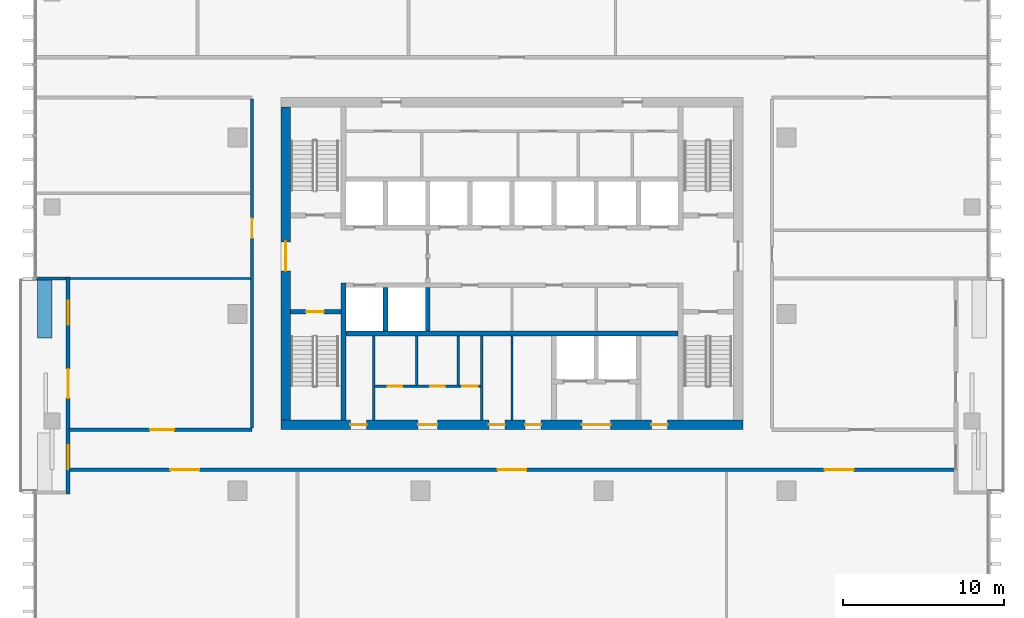
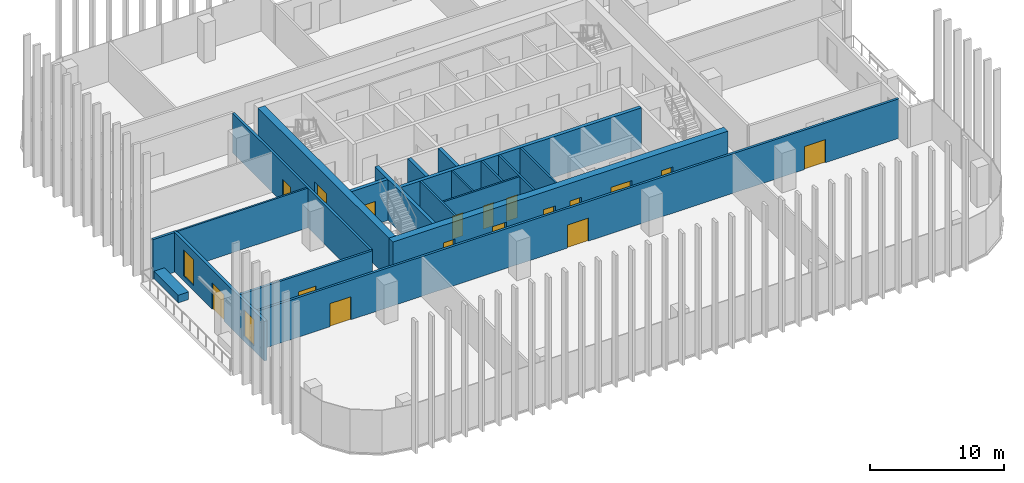
# One storey, part 7 of 16: 20 walls, 17 doors, 2 windows, 19 openings.
"""IFC4 building model written with IfcOpenShell, lengths in metres."""

from ifc_helpers import new_model, si_unit, direction, frame, frame_2d, origin, place, context, subcontext, project, spatial, rectangle, extrude, material, layer, layer_set, type_object, element, fill, save


model = new_model("IFC4")

# Units and contexts
model_context = context("Model", 3, precision=1e-05, world=origin(), true_north=direction((0.0, 1.0)))
body_context = subcontext(model_context, "Body", "Model", "MODEL_VIEW")
ifc_project = project(units=[si_unit("LENGTHUNIT", "METRE"), si_unit("AREAUNIT", "SQUARE_METRE"), si_unit("VOLUMEUNIT", "CUBIC_METRE"), si_unit("PLANEANGLEUNIT", "RADIAN"), si_unit("MASSUNIT", "GRAM", prefix="KILO")], contexts=[model_context])

# Site, building, storey
site_placement = place(None, origin())
site = spatial("IfcSite", under=ifc_project, at=site_placement, CompositionType="ELEMENT")
building_placement = place(site_placement, origin())
building = spatial("IfcBuilding", under=site, at=building_placement, Name="Mopane Tessera Tower", CompositionType="ELEMENT")
storey_placement = place(building_placement, frame((0.0, 0.0, 267.39990234375)))
storey = spatial("IfcBuildingStorey", under=building, at=storey_placement, Name="L57", CompositionType="ELEMENT", Elevation=267.39990234375)

# Wall
ifc_material_1 = material(Name="Fire-rated gypsum board partition")
ifc_layer_1 = layer(ifc_material_1, 0.14990234375)
ifc_layer_set_1 = layer_set([ifc_layer_1], Name="Fire-rated gypsum board partition")
wall_type_1 = type_object("IfcWallType", Name="Core room partition 150 mm", PredefinedType="PARTITIONING", material=ifc_layer_set_1)
wall_1_placement = place(storey_placement, frame((-8.625, -6.60009765625, 0.0), z_axis=(0.0, 0.0, 1.0), x_axis=(0.0, 1.0, 0.0)))
element("IfcWall", 1, at=wall_1_placement, inside=storey, type_object=wall_type_1, Name="L57 Room partition", PredefinedType="PARTITIONING", context=body_context, shape_type="SweptSolid", body=[
    extrude(rectangle(XDim=5.25, YDim=0.14990234375, at=frame_2d((2.625, 0.0))), origin(), (0.0, 0.0, 1.0), 3.7001953125),
])

# Wall, openings, doors
wall_2_placement = place(storey_placement, frame((-8.550048828125, -4.5, 0.0), z_axis=(0.0, 0.0, 1.0), x_axis=(1.0, 0.0, 0.0)))
wall_2 = element("IfcWall", 2, at=wall_2_placement, inside=storey, type_object=wall_type_1, Name="L57 WC partition", PredefinedType="PARTITIONING", context=body_context, shape_type="SweptSolid", body=[
    extrude(rectangle(XDim=6.60009765625, YDim=0.14990234375, at=frame_2d((3.300048828125, 0.0))), origin(), (0.0, 0.0, 1.0), 3.7001953125),
])
opening_1_placement = place(wall_2_placement, frame((0.824951171875, 0.0, 0.0)))
opening_1 = element("IfcOpeningElement", 3, at=opening_1_placement, cuts=wall_2, Name="Opening WD1", PredefinedType="OPENING", context=body_context, shape_type="SweptSolid", body=[
    extrude(rectangle(XDim=0.89990234375, YDim=2.10009765625, at=frame_2d((0.449951171875, 1.050048828125))), frame((0.0, 0.0869140625, 0.0), z_axis=(0.0, -1.0, 0.0), x_axis=(1.0, 0.0, 0.0)), (0.0, 0.0, 1.0), 0.173828125),
])
opening_2_placement = place(wall_2_placement, frame((3.45751953125, 0.0, 0.0)))
opening_2 = element("IfcOpeningElement", 4, at=opening_2_placement, cuts=wall_2, Name="Opening WD1", PredefinedType="OPENING", context=body_context, shape_type="SweptSolid", body=[
    extrude(rectangle(XDim=0.89990234375, YDim=2.10009765625, at=frame_2d((0.449951171875, 1.050048828125))), frame((0.0, 0.0869140625, 0.0), z_axis=(0.0, -1.0, 0.0), x_axis=(1.0, 0.0, 0.0)), (0.0, 0.0, 1.0), 0.173828125),
])
opening_3_placement = place(wall_2_placement, frame((5.45751953125, 0.0, 0.0)))
opening_3 = element("IfcOpeningElement", 5, at=opening_3_placement, cuts=wall_2, Name="Opening WD2", PredefinedType="OPENING", context=body_context, shape_type="SweptSolid", body=[
    extrude(rectangle(XDim=0.949951171875, YDim=2.10009765625, at=frame_2d((0.47509765625, 1.050048828125))), frame((0.0, 0.0869140625, 0.0), z_axis=(0.0, -1.0, 0.0), x_axis=(1.0, 0.0, 0.0)), (0.0, 0.0, 1.0), 0.173828125),
])
ifc_material_2 = material(Name="Timber door", Category="wood")
door_type_1 = type_object("IfcDoorType", Name="Accessible WC door 950 x 2100", OperationType="SINGLE_SWING_LEFT", PredefinedType="DOOR", material=ifc_material_2)
door_1_placement = place(opening_3_placement, origin())
door_1 = element("IfcDoor", 6, at=door_1_placement, inside=storey, type_object=door_type_1, Name="L57 Accessible WC door", OperationType="SINGLE_SWING_LEFT", OverallHeight=2.10009765625, OverallWidth=0.949951171875, PredefinedType="DOOR", context=body_context, shape_type="SweptSolid", body=[
    extrude(rectangle(XDim=0.949951171875, YDim=2.10009765625, at=frame_2d((0.47509765625, 1.050048828125))), frame((0.0, 0.02490234375, 0.0), z_axis=(0.0, -1.0, 0.0), x_axis=(1.0, 0.0, 0.0)), (0.0, 0.0, 1.0), 0.050048828125),
])
fill(opening_3, door_1)
ifc_material_3 = material(Name="Timber door", Category="wood")
door_type_2 = type_object("IfcDoorType", Name="WC cubicle door 900 x 2100", OperationType="SINGLE_SWING_LEFT", PredefinedType="DOOR", material=ifc_material_3)
door_2_placement = place(opening_1_placement, origin())
door_2 = element("IfcDoor", 7, at=door_2_placement, inside=storey, type_object=door_type_2, Name="L57 Men's WC door", OperationType="SINGLE_SWING_LEFT", OverallHeight=2.10009765625, OverallWidth=0.89990234375, PredefinedType="DOOR", context=body_context, shape_type="SweptSolid", body=[
    extrude(rectangle(XDim=0.89990234375, YDim=2.10009765625, at=frame_2d((0.449951171875, 1.050048828125))), frame((0.0, 0.02490234375, 0.0), z_axis=(0.0, -1.0, 0.0), x_axis=(1.0, 0.0, 0.0)), (0.0, 0.0, 1.0), 0.050048828125),
])
fill(opening_1, door_2)
door_3_placement = place(opening_2_placement, origin())
door_3 = element("IfcDoor", 8, at=door_3_placement, inside=storey, type_object=door_type_2, Name="L57 Women's WC door", OperationType="SINGLE_SWING_LEFT", OverallHeight=2.10009765625, OverallWidth=0.89990234375, PredefinedType="DOOR", context=body_context, shape_type="SweptSolid", body=[
    extrude(rectangle(XDim=0.89990234375, YDim=2.10009765625, at=frame_2d((0.449951171875, 1.050048828125))), frame((0.0, 0.02490234375, 0.0), z_axis=(0.0, -1.0, 0.0), x_axis=(1.0, 0.0, 0.0)), (0.0, 0.0, 1.0), 0.050048828125),
])
fill(opening_2, door_3)

# Walls
for number, where, z_axis, x_axis, name in (
    (9, (-5.925048828125, -4.425048828125, 0.0), (0.0, 0.0, 1.0), (0.0, 1.0, 0.0), "L57 WC partition"),
    (10, (-3.360107421875, -4.425048828125, 0.0), (0.0, 0.0, 1.0), (0.0, 1.0, 0.0), "L57 WC partition"),
):
    element("IfcWall", number, at=place(storey_placement, frame(where, z_axis=z_axis, x_axis=x_axis)), inside=storey, type_object=wall_type_1, Name=name, PredefinedType="PARTITIONING", context=body_context, shape_type="SweptSolid", body=[
        extrude(rectangle(XDim=3.074951171875, YDim=0.14990234375, at=frame_2d((1.53759765625, 0.0))), origin(), (0.0, 0.0, 1.0), 3.7001953125),
    ])
for number, where, z_axis, x_axis, name in (
    (11, (-1.875, -6.60009765625, 0.0), (0.0, 0.0, 1.0), (0.0, 1.0, 0.0), "L57 Room partition"),
    (12, (0.0, -6.60009765625, 0.0), (0.0, 0.0, 1.0), (0.0, 1.0, 0.0), "L57 Room partition"),
):
    element("IfcWall", number, at=place(storey_placement, frame(where, z_axis=z_axis, x_axis=x_axis)), inside=storey, type_object=wall_type_1, Name=name, PredefinedType="PARTITIONING", context=body_context, shape_type="SweptSolid", body=[
        extrude(rectangle(XDim=5.25, YDim=0.14990234375, at=frame_2d((2.625, 0.0))), origin(), (0.0, 0.0, 1.0), 3.7001953125),
    ])

# Wall, openings, doors
ifc_material_4 = material(Name="Concrete C70/85", Category="concrete")
ifc_layer_2 = layer(ifc_material_4, 0.60009765625)
ifc_layer_set_2 = layer_set([ifc_layer_2], Name="Concrete C70/85")
wall_type_2 = type_object("IfcWallType", Name="Core shear wall 600 mm", PredefinedType="SHEAR", material=ifc_layer_set_2)
wall_3_placement = place(storey_placement, frame((-14.39990234375, -6.89990234375, 0.0), z_axis=(0.0, 0.0, 1.0), x_axis=(1.0, 0.0, 0.0)))
wall_3 = element("IfcWall", 13, at=wall_3_placement, inside=storey, type_object=wall_type_2, Name="L57 Core wall south", PredefinedType="SHEAR", context=body_context, shape_type="SweptSolid", body=[
    extrude(rectangle(XDim=28.7998046875, YDim=0.60009765625, at=frame_2d((14.39990234375, 0.0))), origin(), (0.0, 0.0, 1.0), 3.7001953125),
])
opening_4_placement = place(wall_3_placement, frame((4.33740234375, 0.0, 0.0)))
opening_4 = element("IfcOpeningElement", 14, at=opening_4_placement, cuts=wall_3, Name="Opening RD1", PredefinedType="OPENING", context=body_context, shape_type="SweptSolid", body=[
    extrude(rectangle(XDim=1.0, YDim=2.10009765625, at=frame_2d((0.5, 1.050048828125))), frame((0.0, 0.31201171875, 0.0), z_axis=(0.0, -1.0, 0.0), x_axis=(1.0, 0.0, 0.0)), (0.0, 0.0, 1.0), 0.6240234375),
])
opening_5_placement = place(wall_3_placement, frame((8.550048828125, 0.0, 0.0)))
opening_5 = element("IfcOpeningElement", 15, at=opening_5_placement, cuts=wall_3, Name="Opening WD3", PredefinedType="OPENING", context=body_context, shape_type="SweptSolid", body=[
    extrude(rectangle(XDim=1.199951171875, YDim=2.10009765625, at=frame_2d((0.60009765625, 1.050048828125))), frame((0.0, 0.31201171875, 0.0), z_axis=(0.0, -1.0, 0.0), x_axis=(1.0, 0.0, 0.0)), (0.0, 0.0, 1.0), 0.6240234375),
])
opening_6_placement = place(wall_3_placement, frame((12.96240234375, 0.0, 0.0)))
opening_6 = element("IfcOpeningElement", 16, at=opening_6_placement, cuts=wall_3, Name="Opening RD1", PredefinedType="OPENING", context=body_context, shape_type="SweptSolid", body=[
    extrude(rectangle(XDim=1.0, YDim=2.10009765625, at=frame_2d((0.5, 1.050048828125))), frame((0.0, 0.31201171875, 0.0), z_axis=(0.0, -1.0, 0.0), x_axis=(1.0, 0.0, 0.0)), (0.0, 0.0, 1.0), 0.6240234375),
])
opening_7_placement = place(wall_3_placement, frame((15.21240234375, 0.0, 0.0)))
opening_7 = element("IfcOpeningElement", 17, at=opening_7_placement, cuts=wall_3, Name="Opening RD1", PredefinedType="OPENING", context=body_context, shape_type="SweptSolid", body=[
    extrude(rectangle(XDim=1.0, YDim=2.10009765625, at=frame_2d((0.5, 1.050048828125))), frame((0.0, 0.31201171875, 0.0), z_axis=(0.0, -1.0, 0.0), x_axis=(1.0, 0.0, 0.0)), (0.0, 0.0, 1.0), 0.6240234375),
])
opening_8_placement = place(wall_3_placement, frame((18.75, 0.0, 0.0)))
opening_8 = element("IfcOpeningElement", 18, at=opening_8_placement, cuts=wall_3, Name="Opening SD2", PredefinedType="OPENING", context=body_context, shape_type="SweptSolid", body=[
    extrude(rectangle(XDim=1.800048828125, YDim=2.10009765625, at=frame_2d((0.89990234375, 1.050048828125))), frame((0.0, 0.31201171875, 0.0), z_axis=(0.0, -1.0, 0.0), x_axis=(1.0, 0.0, 0.0)), (0.0, 0.0, 1.0), 0.6240234375),
])
opening_9_placement = place(wall_3_placement, frame((23.08740234375, 0.0, 0.0)))
opening_9 = element("IfcOpeningElement", 19, at=opening_9_placement, cuts=wall_3, Name="Opening RD1", PredefinedType="OPENING", context=body_context, shape_type="SweptSolid", body=[
    extrude(rectangle(XDim=1.0, YDim=2.10009765625, at=frame_2d((0.5, 1.050048828125))), frame((0.0, 0.31201171875, 0.0), z_axis=(0.0, -1.0, 0.0), x_axis=(1.0, 0.0, 0.0)), (0.0, 0.0, 1.0), 0.6240234375),
])
ifc_material_5 = material(Name="Steel fire door", Category="steel")
door_type_3 = type_object("IfcDoorType", Name="Core entrance double door 1800 x 2100", OperationType="DOUBLE_DOOR_SINGLE_SWING", PredefinedType="DOOR", material=ifc_material_5)
door_4_placement = place(opening_8_placement, origin())
door_4 = element("IfcDoor", 20, at=door_4_placement, inside=storey, type_object=door_type_3, Name="L57 Service lobby door", OperationType="DOUBLE_DOOR_SINGLE_SWING", OverallHeight=2.10009765625, OverallWidth=1.800048828125, PredefinedType="DOOR", context=body_context, shape_type="SweptSolid", body=[
    extrude(rectangle(XDim=1.800048828125, YDim=2.10009765625, at=frame_2d((0.89990234375, 1.050048828125))), frame((0.0, 0.02490234375, 0.0), z_axis=(0.0, -1.0, 0.0), x_axis=(1.0, 0.0, 0.0)), (0.0, 0.0, 1.0), 0.050048828125),
])
fill(opening_8, door_4)
ifc_material_6 = material(Name="Timber door", Category="wood")
door_type_4 = type_object("IfcDoorType", Name="Core room door 1000 x 2100", OperationType="SINGLE_SWING_LEFT", PredefinedType="DOOR", material=ifc_material_6)
door_5_placement = place(opening_4_placement, origin())
door_5 = element("IfcDoor", 21, at=door_5_placement, inside=storey, type_object=door_type_4, Name="L57 Room door", OperationType="SINGLE_SWING_LEFT", OverallHeight=2.10009765625, OverallWidth=1.0, PredefinedType="DOOR", context=body_context, shape_type="SweptSolid", body=[
    extrude(rectangle(XDim=1.0, YDim=2.10009765625, at=frame_2d((0.5, 1.050048828125))), frame((0.0, 0.02490234375, 0.0), z_axis=(0.0, -1.0, 0.0), x_axis=(1.0, 0.0, 0.0)), (0.0, 0.0, 1.0), 0.050048828125),
])
fill(opening_4, door_5)
door_6_placement = place(opening_6_placement, origin())
door_6 = element("IfcDoor", 22, at=door_6_placement, inside=storey, type_object=door_type_4, Name="L57 Room door", OperationType="SINGLE_SWING_LEFT", OverallHeight=2.10009765625, OverallWidth=1.0, PredefinedType="DOOR", context=body_context, shape_type="SweptSolid", body=[
    extrude(rectangle(XDim=1.0, YDim=2.10009765625, at=frame_2d((0.5, 1.050048828125))), frame((0.0, 0.02490234375, 0.0), z_axis=(0.0, -1.0, 0.0), x_axis=(1.0, 0.0, 0.0)), (0.0, 0.0, 1.0), 0.050048828125),
])
fill(opening_6, door_6)
door_7_placement = place(opening_7_placement, origin())
door_7 = element("IfcDoor", 23, at=door_7_placement, inside=storey, type_object=door_type_4, Name="L57 Room door", OperationType="SINGLE_SWING_LEFT", OverallHeight=2.10009765625, OverallWidth=1.0, PredefinedType="DOOR", context=body_context, shape_type="SweptSolid", body=[
    extrude(rectangle(XDim=1.0, YDim=2.10009765625, at=frame_2d((0.5, 1.050048828125))), frame((0.0, 0.02490234375, 0.0), z_axis=(0.0, -1.0, 0.0), x_axis=(1.0, 0.0, 0.0)), (0.0, 0.0, 1.0), 0.050048828125),
])
fill(opening_7, door_7)
door_8_placement = place(opening_9_placement, origin())
door_8 = element("IfcDoor", 24, at=door_8_placement, inside=storey, type_object=door_type_4, Name="L57 Room door", OperationType="SINGLE_SWING_LEFT", OverallHeight=2.10009765625, OverallWidth=1.0, PredefinedType="DOOR", context=body_context, shape_type="SweptSolid", body=[
    extrude(rectangle(XDim=1.0, YDim=2.10009765625, at=frame_2d((0.5, 1.050048828125))), frame((0.0, 0.02490234375, 0.0), z_axis=(0.0, -1.0, 0.0), x_axis=(1.0, 0.0, 0.0)), (0.0, 0.0, 1.0), 0.050048828125),
])
fill(opening_9, door_8)
ifc_material_7 = material(Name="Timber door", Category="wood")
door_type_5 = type_object("IfcDoorType", Name="WC lobby door 1200 x 2100", OperationType="SINGLE_SWING_LEFT", PredefinedType="DOOR", material=ifc_material_7)
door_9_placement = place(opening_5_placement, origin())
door_9 = element("IfcDoor", 25, at=door_9_placement, inside=storey, type_object=door_type_5, Name="L57 WC lobby door", OperationType="SINGLE_SWING_LEFT", OverallHeight=2.10009765625, OverallWidth=1.199951171875, PredefinedType="DOOR", context=body_context, shape_type="SweptSolid", body=[
    extrude(rectangle(XDim=1.199951171875, YDim=2.10009765625, at=frame_2d((0.60009765625, 1.050048828125))), frame((0.0, 0.02490234375, 0.0), z_axis=(0.0, -1.0, 0.0), x_axis=(1.0, 0.0, 0.0)), (0.0, 0.0, 1.0), 0.050048828125),
])
fill(opening_5, door_9)

# Wall, opening, door
wall_4_placement = place(storey_placement, frame((-14.10009765625, -6.60009765625, 0.0), z_axis=(0.0, 0.0, 1.0), x_axis=(0.0, 1.0, 0.0)))
wall_4 = element("IfcWall", 26, at=wall_4_placement, inside=storey, type_object=wall_type_2, Name="L57 Core wall west", PredefinedType="SHEAR", context=body_context, shape_type="SweptSolid", body=[
    extrude(rectangle(XDim=19.5, YDim=0.60009765625, at=frame_2d((9.75, 0.0))), origin(), (0.0, 0.0, 1.0), 3.7001953125),
])
opening_10_placement = place(wall_4_placement, frame((9.300048828125, 0.0, 0.0)))
opening_10 = element("IfcOpeningElement", 27, at=opening_10_placement, cuts=wall_4, Name="Opening SD2", PredefinedType="OPENING", context=body_context, shape_type="SweptSolid", body=[
    extrude(rectangle(XDim=1.800048828125, YDim=2.10009765625, at=frame_2d((0.89990234375, 1.050048828125))), frame((0.0, 0.31201171875, 0.0), z_axis=(0.0, -1.0, 0.0), x_axis=(1.0, 0.0, 0.0)), (0.0, 0.0, 1.0), 0.6240234375),
])
door_10_placement = place(opening_10_placement, origin())
door_10 = element("IfcDoor", 28, at=door_10_placement, inside=storey, type_object=door_type_3, Name="L57 Core entrance door west", OperationType="DOUBLE_DOOR_SINGLE_SWING", OverallHeight=2.10009765625, OverallWidth=1.800048828125, PredefinedType="DOOR", context=body_context, shape_type="SweptSolid", body=[
    extrude(rectangle(XDim=1.800048828125, YDim=2.10009765625, at=frame_2d((0.89990234375, 1.050048828125))), frame((0.0, 0.02490234375, 0.0), z_axis=(0.0, -1.0, 0.0), x_axis=(1.0, 0.0, 0.0)), (0.0, 0.0, 1.0), 0.050048828125),
])
fill(opening_10, door_10)

# Wall
ifc_material_8 = material(Name="Concrete C60/75", Category="concrete")
ifc_layer_3 = layer(ifc_material_8, 0.300048828125)
ifc_layer_set_3 = layer_set([ifc_layer_3], Name="Concrete C60/75")
wall_type_3 = type_object("IfcWallType", Name="Core spine wall 300 mm", PredefinedType="SHEAR", material=ifc_layer_set_3)
wall_5_placement = place(storey_placement, frame((-10.5, -6.60009765625, 0.0), z_axis=(0.0, 0.0, 1.0), x_axis=(0.0, 1.0, 0.0)))
element("IfcWall", 29, at=wall_5_placement, inside=storey, type_object=wall_type_3, Name="L57 Core spine wall", PredefinedType="SHEAR", context=body_context, shape_type="SweptSolid", body=[
    extrude(rectangle(XDim=8.550048828125, YDim=0.300048828125, at=frame_2d((4.27490234375, 0.0))), origin(), (0.0, 0.0, 1.0), 3.7001953125),
])

# Wall, openings, doors
ifc_material_9 = material(Name="Gypsum board on steel studs, two layers each face, mineral wool infill", Category="steel")
ifc_layer_4 = layer(ifc_material_9, 0.199951171875)
ifc_layer_set_4 = layer_set([ifc_layer_4], Name="Gypsum board on steel studs, two layers each face, mineral wool infill")
wall_type_4 = type_object("IfcWallType", Name="Gypsum board corridor wall 200, rated EI 60", PredefinedType="PARTITIONING", material=ifc_layer_set_4)
wall_6_placement = place(storey_placement, frame((-27.60009765625, -9.699951171875, 0.0), z_axis=(0.0, 0.0, 1.0), x_axis=(1.0, 0.0, 0.0)))
wall_6 = element("IfcWall", 30, at=wall_6_placement, inside=storey, type_object=wall_type_4, Name="Partition L57:000", PredefinedType="PARTITIONING", context=body_context, shape_type="SweptSolid", body=[
    extrude(rectangle(XDim=55.2001953125, YDim=0.199951171875, at=frame_2d((27.60009765625, 0.0))), origin(), (0.0, 0.0, 1.0), 3.60009765625),
])
opening_11_placement = place(wall_6_placement, frame((47.08251953125, 0.0, 0.0)))
opening_11 = element("IfcOpeningElement", 31, at=opening_11_placement, cuts=wall_6, Name="Opening L57-07", PredefinedType="OPENING", context=body_context, shape_type="SweptSolid", body=[
    extrude(rectangle(XDim=1.800048828125, YDim=2.10009765625, at=frame_2d((0.89990234375, 1.050048828125))), frame((0.0, 0.112060546875, 0.0), z_axis=(0.0, -1.0, 0.0), x_axis=(1.0, 0.0, 0.0)), (0.0, 0.0, 1.0), 0.223876953125),
])
opening_12_placement = place(wall_6_placement, frame((26.699951171875, 0.0, 0.0)))
opening_12 = element("IfcOpeningElement", 32, at=opening_12_placement, cuts=wall_6, Name="Opening L57-10", PredefinedType="OPENING", context=body_context, shape_type="SweptSolid", body=[
    extrude(rectangle(XDim=1.800048828125, YDim=2.10009765625, at=frame_2d((0.89990234375, 1.050048828125))), frame((0.0, 0.112060546875, 0.0), z_axis=(0.0, -1.0, 0.0), x_axis=(1.0, 0.0, 0.0)), (0.0, 0.0, 1.0), 0.223876953125),
])
opening_13_placement = place(wall_6_placement, frame((6.3173828125, 0.0, 0.0)))
opening_13 = element("IfcOpeningElement", 33, at=opening_13_placement, cuts=wall_6, Name="Opening L57-11", PredefinedType="OPENING", context=body_context, shape_type="SweptSolid", body=[
    extrude(rectangle(XDim=1.800048828125, YDim=2.10009765625, at=frame_2d((0.89990234375, 1.050048828125))), frame((0.0, 0.112060546875, 0.0), z_axis=(0.0, -1.0, 0.0), x_axis=(1.0, 0.0, 0.0)), (0.0, 0.0, 1.0), 0.223876953125),
])
ifc_material_10 = material(Name="Timber veneered steel-framed fire door", Category="steel")
door_type_6 = type_object("IfcDoorType", Name="Fire door pair FD60 1800 x 2100", OperationType="DOUBLE_DOOR_SINGLE_SWING", PredefinedType="DOOR", material=ifc_material_10)
door_11_placement = place(opening_11_placement, origin())
door_11 = element("IfcDoor", 34, at=door_11_placement, inside=storey, type_object=door_type_6, Name="Door L57-07", ObjectType="D20A", OperationType="DOUBLE_DOOR_SINGLE_SWING", OverallHeight=2.10009765625, OverallWidth=1.800048828125, PredefinedType="DOOR", context=body_context, shape_type="SweptSolid", body=[
    extrude(rectangle(XDim=1.800048828125, YDim=2.10009765625, at=frame_2d((0.89990234375, 1.050048828125))), frame((0.0, 0.02490234375, 0.0), z_axis=(0.0, -1.0, 0.0), x_axis=(1.0, 0.0, 0.0)), (0.0, 0.0, 1.0), 0.050048828125),
])
fill(opening_11, door_11)
door_12_placement = place(opening_12_placement, origin())
door_12 = element("IfcDoor", 35, at=door_12_placement, inside=storey, type_object=door_type_6, Name="Door L57-10", ObjectType="D20A", OperationType="DOUBLE_DOOR_SINGLE_SWING", OverallHeight=2.10009765625, OverallWidth=1.800048828125, PredefinedType="DOOR", context=body_context, shape_type="SweptSolid", body=[
    extrude(rectangle(XDim=1.800048828125, YDim=2.10009765625, at=frame_2d((0.89990234375, 1.050048828125))), frame((0.0, 0.02490234375, 0.0), z_axis=(0.0, -1.0, 0.0), x_axis=(1.0, 0.0, 0.0)), (0.0, 0.0, 1.0), 0.050048828125),
])
fill(opening_12, door_12)
door_13_placement = place(opening_13_placement, origin())
door_13 = element("IfcDoor", 36, at=door_13_placement, inside=storey, type_object=door_type_6, Name="Door L57-11", ObjectType="D20A", OperationType="DOUBLE_DOOR_SINGLE_SWING", OverallHeight=2.10009765625, OverallWidth=1.800048828125, PredefinedType="DOOR", context=body_context, shape_type="SweptSolid", body=[
    extrude(rectangle(XDim=1.800048828125, YDim=2.10009765625, at=frame_2d((0.89990234375, 1.050048828125))), frame((0.0, 0.02490234375, 0.0), z_axis=(0.0, -1.0, 0.0), x_axis=(1.0, 0.0, 0.0)), (0.0, 0.0, 1.0), 0.050048828125),
])
fill(opening_13, door_13)

# Wall, opening, door
wall_7_placement = place(storey_placement, frame((-27.60009765625, -7.199951171875, 0.0), z_axis=(0.0, 0.0, 1.0), x_axis=(1.0, 0.0, 0.0)))
wall_7 = element("IfcWall", 37, at=wall_7_placement, inside=storey, type_object=wall_type_4, Name="Partition L57:001", PredefinedType="PARTITIONING", context=body_context, shape_type="SweptSolid", body=[
    extrude(rectangle(XDim=11.400146484375, YDim=0.199951171875, at=frame_2d((5.7001953125, 0.0))), origin(), (0.0, 0.0, 1.0), 3.60009765625),
])
opening_14_placement = place(wall_7_placement, frame((5.050048828125, 0.0, 0.0)))
opening_14 = element("IfcOpeningElement", 38, at=opening_14_placement, cuts=wall_7, Name="Opening L57-03", PredefinedType="OPENING", context=body_context, shape_type="SweptSolid", body=[
    extrude(rectangle(XDim=1.5, YDim=2.10009765625, at=frame_2d((0.75, 1.050048828125))), frame((0.0, 0.112060546875, 0.0), z_axis=(0.0, -1.0, 0.0), x_axis=(1.0, 0.0, 0.0)), (0.0, 0.0, 1.0), 0.223876953125),
])
ifc_material_11 = material(Name="Timber veneered steel-framed fire door", Category="steel")
door_type_7 = type_object("IfcDoorType", Name="Fire door pair FD60 1500 x 2100", OperationType="DOUBLE_DOOR_SINGLE_SWING", PredefinedType="DOOR", material=ifc_material_11)
door_14_placement = place(opening_14_placement, origin())
door_14 = element("IfcDoor", 39, at=door_14_placement, inside=storey, type_object=door_type_7, Name="Door L57-03", ObjectType="D17A", OperationType="DOUBLE_DOOR_SINGLE_SWING", OverallHeight=2.10009765625, OverallWidth=1.5, PredefinedType="DOOR", context=body_context, shape_type="SweptSolid", body=[
    extrude(rectangle(XDim=1.5, YDim=2.10009765625, at=frame_2d((0.75, 1.050048828125))), frame((0.0, 0.02490234375, 0.0), z_axis=(0.0, -1.0, 0.0), x_axis=(1.0, 0.0, 0.0)), (0.0, 0.0, 1.0), 0.050048828125),
])
fill(opening_14, door_14)

wall_8_placement = place(storey_placement, frame((-16.199951171875, -7.10009765625, 0.0), z_axis=(0.0, 0.0, 1.0), x_axis=(0.0, 1.0, 0.0)))
wall_8 = element("IfcWall", 40, at=wall_8_placement, inside=storey, type_object=wall_type_4, Name="Partition L57:011", PredefinedType="PARTITIONING", context=body_context, shape_type="SweptSolid", body=[
    extrude(rectangle(XDim=20.5, YDim=0.199951171875, at=frame_2d((10.25, 0.0))), origin(), (0.0, 0.0, 1.0), 3.60009765625),
])
opening_15_placement = place(wall_8_placement, frame((11.844970703125, 0.0, 0.0)))
opening_15 = element("IfcOpeningElement", 41, at=opening_15_placement, cuts=wall_8, Name="Opening L57-09", PredefinedType="OPENING", context=body_context, shape_type="SweptSolid", body=[
    extrude(rectangle(XDim=1.199951171875, YDim=2.10009765625, at=frame_2d((0.60009765625, 1.050048828125))), frame((0.0, 0.112060546875, 0.0), z_axis=(0.0, -1.0, 0.0), x_axis=(1.0, 0.0, 0.0)), (0.0, 0.0, 1.0), 0.223876953125),
])
ifc_material_12 = material(Name="Timber veneered steel-framed fire door", Category="steel")
door_type_8 = type_object("IfcDoorType", Name="Fire door FD60 1200 x 2100", OperationType="SINGLE_SWING_LEFT", PredefinedType="DOOR", material=ifc_material_12)
door_15_placement = place(opening_15_placement, origin())
door_15 = element("IfcDoor", 42, at=door_15_placement, inside=storey, type_object=door_type_8, Name="Door L57-09", ObjectType="D15A", OperationType="SINGLE_SWING_RIGHT", OverallHeight=2.10009765625, OverallWidth=1.199951171875, PredefinedType="DOOR", context=body_context, shape_type="SweptSolid", body=[
    extrude(rectangle(XDim=1.199951171875, YDim=2.10009765625, at=frame_2d((0.60009765625, 1.050048828125))), frame((0.0, 0.02490234375, 0.0), z_axis=(0.0, -1.0, 0.0), x_axis=(1.0, 0.0, 0.0)), (0.0, 0.0, 1.0), 0.050048828125),
])
fill(opening_15, door_15)

# Wall
ifc_material_13 = material(Name="Gypsum board on steel studs, mineral wool infill", Category="steel")
ifc_layer_5 = layer(ifc_material_13, 0.14990234375)
ifc_layer_set_5 = layer_set([ifc_layer_5], Name="Gypsum board on steel studs, mineral wool infill")
wall_type_5 = type_object("IfcWallType", Name="Gypsum board partition 150, rated EI 60", PredefinedType="PARTITIONING", material=ifc_layer_set_5)
wall_9_placement = place(storey_placement, frame((-27.60009765625, 2.219970703125, 0.0), z_axis=(0.0, 0.0, 1.0), x_axis=(1.0, 0.0, 0.0)))
element("IfcWall", 43, at=wall_9_placement, inside=storey, type_object=wall_type_5, Name="Partition L57:003", PredefinedType="PARTITIONING", context=body_context, shape_type="SweptSolid", body=[
    extrude(rectangle(XDim=11.300048828125, YDim=0.14990234375, at=frame_2d((5.64990234375, 0.0))), origin(), (0.0, 0.0, 1.0), 3.60009765625),
])

# Wall, opening, door
ifc_material_14 = material(Name="Concrete C50/60", Category="concrete")
ifc_layer_6 = layer(ifc_material_14, 0.300048828125)
ifc_layer_set_6 = layer_set([ifc_layer_6], Name="Concrete C50/60")
wall_type_6 = type_object("IfcWallType", Name="Lift and stair shaft wall 300 mm", PredefinedType="SOLIDWALL", material=ifc_layer_set_6)
wall_10_placement = place(storey_placement, frame((-13.800048828125, 0.14990234375, 0.0), z_axis=(0.0, 0.0, 1.0), x_axis=(1.0, 0.0, 0.0)))
wall_10 = element("IfcWall", 44, at=wall_10_placement, inside=storey, type_object=wall_type_6, Name="L57 Stair enclosure wall", PredefinedType="SOLIDWALL", context=body_context, shape_type="SweptSolid", body=[
    extrude(rectangle(XDim=3.150146484375, YDim=0.300048828125, at=frame_2d((1.5751953125, 0.0))), origin(), (0.0, 0.0, 1.0), 3.7001953125),
])
opening_16_placement = place(wall_10_placement, frame((0.97509765625, 0.0, 0.0)))
opening_16 = element("IfcOpeningElement", 45, at=opening_16_placement, cuts=wall_10, Name="Opening SD1", PredefinedType="OPENING", context=body_context, shape_type="SweptSolid", body=[
    extrude(rectangle(XDim=1.10009765625, YDim=2.10009765625, at=frame_2d((0.550048828125, 1.050048828125))), frame((0.0, 0.162109375, 0.0), z_axis=(0.0, -1.0, 0.0), x_axis=(1.0, 0.0, 0.0)), (0.0, 0.0, 1.0), 0.323974609375),
])
ifc_material_15 = material(Name="Steel fire door", Category="steel")
door_type_9 = type_object("IfcDoorType", Name="Stair fire door 1100 x 2100", OperationType="SINGLE_SWING_LEFT", PredefinedType="DOOR", material=ifc_material_15)
door_16_placement = place(opening_16_placement, origin())
door_16 = element("IfcDoor", 46, at=door_16_placement, inside=storey, type_object=door_type_9, Name="L57 Stair door ST1", OperationType="SINGLE_SWING_LEFT", OverallHeight=2.10009765625, OverallWidth=1.10009765625, PredefinedType="DOOR", context=body_context, shape_type="SweptSolid", body=[
    extrude(rectangle(XDim=1.10009765625, YDim=2.10009765625, at=frame_2d((0.550048828125, 1.050048828125))), frame((0.0, 0.02490234375, 0.0), z_axis=(0.0, -1.0, 0.0), x_axis=(1.0, 0.0, 0.0)), (0.0, 0.0, 1.0), 0.050048828125),
])
fill(opening_16, door_16)

# Walls
wall_11_placement = place(storey_placement, frame((-10.35009765625, -1.199951171875, 0.0), z_axis=(0.0, 0.0, 1.0), x_axis=(1.0, 0.0, 0.0)))
element("IfcWall", 47, at=wall_11_placement, inside=storey, type_object=wall_type_6, Name="L57 Lift shaft rear wall", PredefinedType="SOLIDWALL", context=body_context, shape_type="SweptSolid", body=[
    extrude(rectangle(XDim=20.7001953125, YDim=0.300048828125, at=frame_2d((10.35009765625, 0.0))), origin(), (0.0, 0.0, 1.0), 3.7001953125),
])
for number, where, z_axis, x_axis, name in (
    (48, (-7.875, -1.050048828125, 0.0), (0.0, 0.0, 1.0), (0.0, 1.0, 0.0), "L57 Lift shaft wall"),
    (49, (-5.25, -1.050048828125, 0.0), (0.0, 0.0, 1.0), (0.0, 1.0, 0.0), "L57 Lift shaft wall"),
):
    element("IfcWall", number, at=place(storey_placement, frame(where, z_axis=z_axis, x_axis=x_axis)), inside=storey, type_object=wall_type_6, Name=name, PredefinedType="SOLIDWALL", context=body_context, shape_type="SweptSolid", body=[
        extrude(rectangle(XDim=2.699951171875, YDim=0.300048828125, at=frame_2d((1.35009765625, 0.0))), origin(), (0.0, 0.0, 1.0), 3.7001953125),
    ])
ifc_material_16 = material(Name="Reinforced concrete C32/40 with waterproofing", Category="concrete")
ifc_layer_7 = layer(ifc_material_16, 0.89990234375)
ifc_layer_set_7 = layer_set([ifc_layer_7], Name="Reinforced concrete C32/40 with waterproofing")
wall_type_7 = type_object("IfcWallType", Name="Planter trough 3600 x 900", PredefinedType="STANDARD", material=ifc_layer_set_7)
wall_12_placement = place(storey_placement, frame((-29.10009765625, 2.122314453125, 0.0), z_axis=(0.0, 0.0, 1.0), x_axis=(0.0, -1.0, 0.0)))
element("IfcWall", 50, at=wall_12_placement, inside=storey, type_object=wall_type_7, Name="e:nw:L57:N3:pl0", PredefinedType="STANDARD", context=body_context, shape_type="SweptSolid", body=[
    extrude(rectangle(XDim=3.60009765625, YDim=0.89990234375, at=frame_2d((1.800048828125, 0.0))), origin(), (0.0, 0.0, 1.0), 0.7001953125),
])
ifc_material_17 = material(Name="Blockwork with glazed tile facing", Category="masonry")
ifc_layer_8 = layer(ifc_material_17, 0.199951171875)
ifc_layer_set_8 = layer_set([ifc_layer_8], Name="Blockwork with glazed tile facing")
wall_type_8 = type_object("IfcWallType", Name="Terrace cheek wall 200", PredefinedType="STANDARD", material=ifc_layer_set_8)
wall_13_placement = place(storey_placement, frame((-29.64990234375, 2.22216796875, 0.0), z_axis=(0.0, 0.0, 1.0), x_axis=(1.0, 0.0, 0.0)))
element("IfcWall", 51, at=wall_13_placement, inside=storey, type_object=wall_type_8, Name="e:nw:L57:N3:cheeka", PredefinedType="STANDARD", context=body_context, shape_type="SweptSolid", body=[
    extrude(rectangle(XDim=1.875, YDim=0.199951171875, at=frame_2d((0.9375, 0.0))), origin(), (0.0, 0.0, 1.0), 3.60009765625),
])

# Wall, openings, windows, door
ifc_material_18 = material(Name="Blockwork with turquoise glazed tile facing", Category="masonry")
ifc_layer_9 = layer(ifc_material_18, 0.25)
ifc_layer_set_9 = layer_set([ifc_layer_9], Name="Blockwork with turquoise glazed tile facing")
wall_type_9 = type_object("IfcWallType", Name="Tile-clad external wall 250, turquoise", PredefinedType="STANDARD", material=ifc_layer_set_9)
wall_14_placement = place(storey_placement, frame((-27.64990234375, 2.322265625, 0.0), z_axis=(0.0, 0.0, 1.0), x_axis=(0.0, -1.0, 0.0)))
wall_14 = element("IfcWall", 52, at=wall_14_placement, inside=storey, type_object=wall_type_9, Name="e:nw:L57:N3:back", PredefinedType="STANDARD", context=body_context, shape_type="SweptSolid", body=[
    extrude(rectangle(XDim=13.533447265625, YDim=0.25, at=frame_2d((6.7666015625, 0.0))), origin(), (0.0, 0.0, 1.0), 3.60009765625),
])
opening_17_placement = place(wall_14_placement, frame((1.5, 0.0, 0.449951171875)))
opening_17 = element("IfcOpeningElement", 53, at=opening_17_placement, cuts=wall_14, Name="Opening NW573A", PredefinedType="OPENING", context=body_context, shape_type="SweptSolid", body=[
    extrude(rectangle(XDim=1.5, YDim=2.39990234375, at=frame_2d((0.75, 1.199951171875))), frame((0.0, 0.136962890625, 0.0), z_axis=(0.0, -1.0, 0.0), x_axis=(1.0, 0.0, 0.0)), (0.0, 0.0, 1.0), 0.27392578125),
])
opening_18_placement = place(wall_14_placement, frame((5.75, 0.0, 0.0)))
opening_18 = element("IfcOpeningElement", 54, at=opening_18_placement, cuts=wall_14, Name="Opening ND573", PredefinedType="OPENING", context=body_context, shape_type="SweptSolid", body=[
    extrude(rectangle(XDim=1.800048828125, YDim=2.39990234375, at=frame_2d((0.89990234375, 1.199951171875))), frame((0.0, 0.136962890625, 0.0), z_axis=(0.0, -1.0, 0.0), x_axis=(1.0, 0.0, 0.0)), (0.0, 0.0, 1.0), 0.27392578125),
])
opening_19_placement = place(wall_14_placement, frame((10.5, 0.0, 0.449951171875)))
opening_19 = element("IfcOpeningElement", 55, at=opening_19_placement, cuts=wall_14, Name="Opening NW573B", PredefinedType="OPENING", context=body_context, shape_type="SweptSolid", body=[
    extrude(rectangle(XDim=1.5, YDim=2.39990234375, at=frame_2d((0.75, 1.199951171875))), frame((0.0, 0.136962890625, 0.0), z_axis=(0.0, -1.0, 0.0), x_axis=(1.0, 0.0, 0.0)), (0.0, 0.0, 1.0), 0.27392578125),
])
ifc_material_19 = material(Name="Clear laminated glass", Category="glass")
window_type = type_object("IfcWindowType", Name="Fixed window 1500 x 2400", PartitioningType="SINGLE_PANEL", PredefinedType="WINDOW", material=ifc_material_19)
window_1_placement = place(opening_17_placement, origin())
window_1 = element("IfcWindow", 56, at=window_1_placement, inside=storey, type_object=window_type, Name="e:nw:L57:N3:win0", OverallHeight=2.39990234375, OverallWidth=1.5, PartitioningType="SINGLE_PANEL", PredefinedType="WINDOW", context=body_context, shape_type="SweptSolid", body=[
    extrude(rectangle(XDim=1.5, YDim=2.39990234375, at=frame_2d((0.75, 1.199951171875))), frame((0.0, 0.030029296875, 0.0), z_axis=(0.0, -1.0, 0.0), x_axis=(1.0, 0.0, 0.0)), (0.0, 0.0, 1.0), 0.06005859375),
])
fill(opening_17, window_1)
window_2_placement = place(opening_19_placement, origin())
window_2 = element("IfcWindow", 57, at=window_2_placement, inside=storey, type_object=window_type, Name="e:nw:L57:N3:win2", OverallHeight=2.39990234375, OverallWidth=1.5, PartitioningType="SINGLE_PANEL", PredefinedType="WINDOW", context=body_context, shape_type="SweptSolid", body=[
    extrude(rectangle(XDim=1.5, YDim=2.39990234375, at=frame_2d((0.75, 1.199951171875))), frame((0.0, 0.030029296875, 0.0), z_axis=(0.0, -1.0, 0.0), x_axis=(1.0, 0.0, 0.0)), (0.0, 0.0, 1.0), 0.06005859375),
])
fill(opening_19, window_2)
ifc_material_20 = material(Name="Aluminium and clear glass", Category="aluminium")
door_type_10 = type_object("IfcDoorType", Name="Terrace double door 1800 x 2400", OperationType="DOUBLE_DOOR_SINGLE_SWING", PredefinedType="DOOR", material=ifc_material_20)
door_17_placement = place(opening_18_placement, origin())
door_17 = element("IfcDoor", 58, at=door_17_placement, inside=storey, type_object=door_type_10, Name="e:nw:L57:N3:door", ObjectType="D1", OperationType="DOUBLE_DOOR_SINGLE_SWING", OverallHeight=2.39990234375, OverallWidth=1.800048828125, PredefinedType="DOOR", context=body_context, shape_type="SweptSolid", body=[
    extrude(rectangle(XDim=1.800048828125, YDim=2.39990234375, at=frame_2d((0.89990234375, 1.199951171875))), frame((0.0, 0.02490234375, 0.0), z_axis=(0.0, -1.0, 0.0), x_axis=(1.0, 0.0, 0.0)), (0.0, 0.0, 1.0), 0.050048828125),
])
fill(opening_18, door_17)

save(model, "model.ifc")
